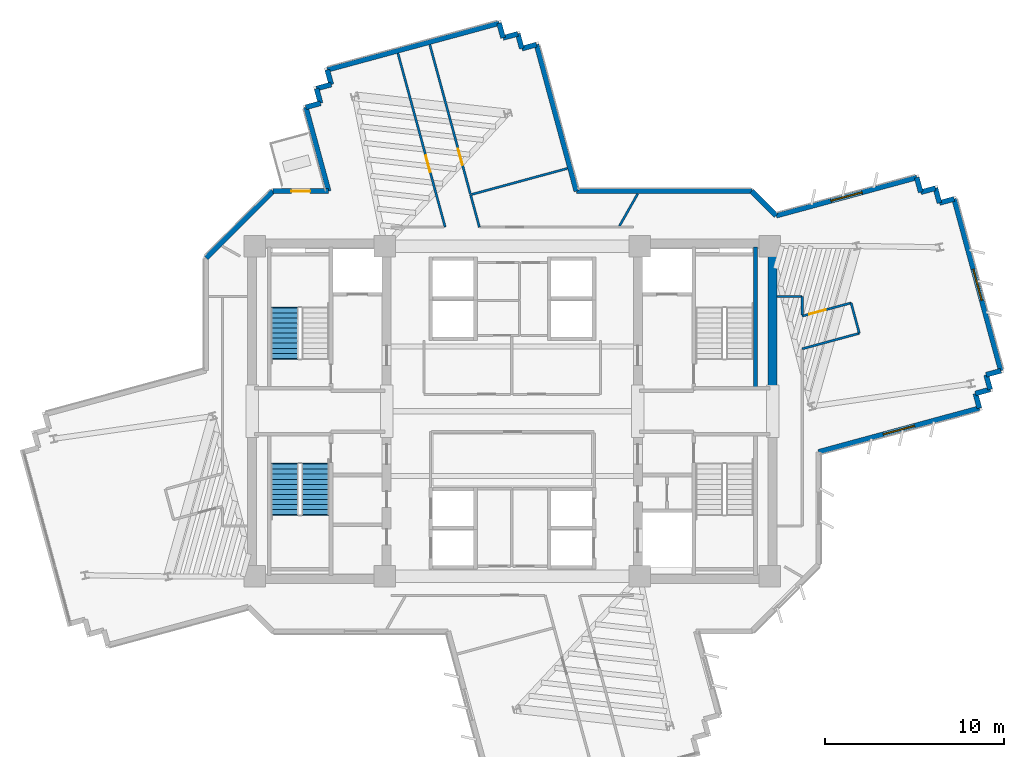
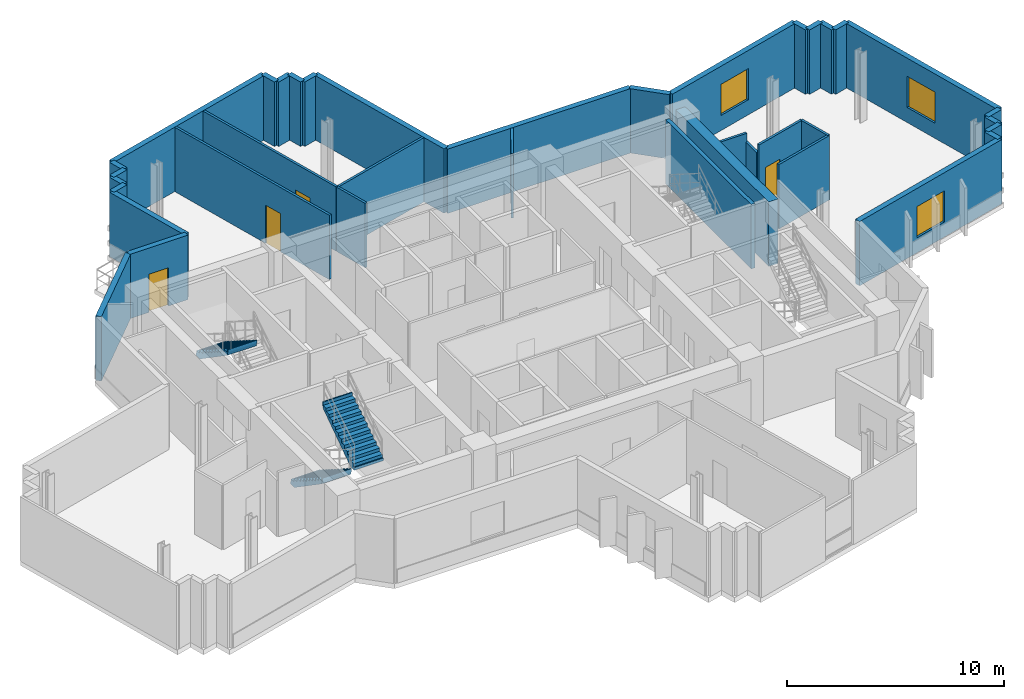
# One storey, part 11 of 15: 38 walls, 4 doors, 3 stair flights, 3 windows, 7 openings, 2 elements without a shape of their own.
"""IFC4 building model written with IfcOpenShell, lengths in metres."""

from ifc_helpers import new_model, si_unit, direction, frame, frame_2d, origin, place, context, subcontext, project, spatial, polyline, rectangle, outline, extrude, source, transform, mapped, material, layer, layer_set, type_object, element, fill, aggregate, save


model = new_model("IFC4")

# Units and contexts
model_context = context("Model", 3, precision=1e-05, world=origin(), true_north=direction((0.0, 1.0)))
body_context = subcontext(model_context, "Body", "Model", "MODEL_VIEW")
ifc_project = project(units=[si_unit("LENGTHUNIT", "METRE"), si_unit("AREAUNIT", "SQUARE_METRE"), si_unit("VOLUMEUNIT", "CUBIC_METRE"), si_unit("PLANEANGLEUNIT", "RADIAN"), si_unit("MASSUNIT", "GRAM", prefix="KILO")], contexts=[model_context])

# Site, building, storey
site_placement = place(None, origin())
site = spatial("IfcSite", under=ifc_project, at=site_placement, CompositionType="ELEMENT")
building_placement = place(site_placement, origin())
building = spatial("IfcBuilding", under=site, at=building_placement, Name="Zahravan Cultural Tower", CompositionType="ELEMENT")
storey_placement = place(building_placement, frame((0.0, 0.0, 194.10009765625)))
storey = spatial("IfcBuildingStorey", under=building, at=storey_placement, Name="L45", CompositionType="ELEMENT", Elevation=194.10009765625)

# Wall, opening, window
ifc_material_1 = material(Name="Precast concrete C40/50", Category="concrete")
ifc_layer_1 = layer(ifc_material_1, 0.280029296875)
ifc_layer_set_1 = layer_set([ifc_layer_1], Name="Precast concrete C40/50")
wall_type_1 = type_object("IfcWallType", Name="EW-TC-280", PredefinedType="SOLIDWALL", material=ifc_layer_set_1)
wall_1_placement = place(storey_placement, frame((50.705078125, 37.896728515625, 0.0), z_axis=(0.0, 0.0, 1.0), x_axis=(0.965017555758, 0.262185272431, 0.0)))
wall_1 = element("IfcWall", 1, at=wall_1_placement, inside=storey, type_object=wall_type_1, Name="L45 Exterior Masonry Frame Wall 01", PredefinedType="SOLIDWALL", context=body_context, shape_type="SweptSolid", body=[
    extrude(rectangle(XDim=8.1123046875, YDim=0.280029296875, at=frame_2d((4.05615234375, 0.0))), origin(), (0.0, 0.0, 1.0), 3.619873046875),
])
opening_1_placement = place(wall_1_placement, frame((3.156005859375, 0.0, 0.85009765625)))
opening_1 = element("IfcOpeningElement", 2, at=opening_1_placement, cuts=wall_1, Name="Opening WN-02", PredefinedType="OPENING", context=body_context, shape_type="SweptSolid", body=[
    extrude(rectangle(XDim=1.800048828125, YDim=1.75, at=frame_2d((0.89990234375, 0.875))), frame((0.0, 0.14990234375, 0.0), z_axis=(0.0, -1.0, 0.0), x_axis=(1.0, 0.0, 0.0)), (0.0, 0.0, 1.0), 0.300048828125),
])
ifc_material_2 = material(Name="Low-E solar-control double glazing", Category="glass")
window_type = type_object("IfcWindowType", Name="WN-REC-1800X1750", PartitioningType="DOUBLE_PANEL_VERTICAL", PredefinedType="WINDOW", material=ifc_material_2)
shared_shape_1 = source(origin(), body_context, "Body", "SweptSolid", [
    extrude(rectangle(XDim=1.800048828125, YDim=1.75, at=frame_2d((0.89990234375, 0.875))), frame((0.0, 0.030029296875, 0.0), z_axis=(0.0, -1.0, 0.0), x_axis=(1.0, 0.0, 0.0)), (0.0, 0.0, 1.0), 0.06005859375),
])
window_1_placement = place(opening_1_placement, origin())
window_1 = element("IfcWindow", 3, at=window_1_placement, inside=storey, type_object=window_type, Name="L45 Recessed Solar Window 01", OverallHeight=1.75, OverallWidth=1.800048828125, PartitioningType="DOUBLE_PANEL_VERTICAL", PredefinedType="WINDOW", context=body_context, shape_type="MappedRepresentation", body=[
    mapped(shared_shape_1, transform((0.0, 0.0, 0.0), x_axis=(1.0, 0.0, 0.0), y_axis=(0.0, 1.0, 0.0), z_axis=(0.0, 0.0, 1.0), scale=1.0)),
])
fill(opening_1, window_1)

wall_2_placement = place(storey_placement, frame((60.619873046875, 38.828857421875, 0.0), z_axis=(0.0, 0.0, 1.0), x_axis=(0.262180173408, -0.965018941095, 0.0)))
wall_2 = element("IfcWall", 4, at=wall_2_placement, inside=storey, type_object=wall_type_1, Name="L45 Exterior Masonry Frame Wall 06", PredefinedType="SOLIDWALL", context=body_context, shape_type="SweptSolid", body=[
    extrude(rectangle(XDim=9.919921875, YDim=0.280029296875, at=frame_2d((4.9599609375, 0.0))), origin(), (0.0, 0.0, 1.0), 3.619873046875),
])
opening_2_placement = place(wall_2_placement, frame((4.06005859375, 0.0, 0.85009765625)))
opening_2 = element("IfcOpeningElement", 5, at=opening_2_placement, cuts=wall_2, Name="Opening WN-02", PredefinedType="OPENING", context=body_context, shape_type="SweptSolid", body=[
    extrude(rectangle(XDim=1.800048828125, YDim=1.75, at=frame_2d((0.89990234375, 0.875))), frame((0.0, 0.14990234375, 0.0), z_axis=(0.0, -1.0, 0.0), x_axis=(1.0, 0.0, 0.0)), (0.0, 0.0, 1.0), 0.300048828125),
])
window_2_placement = place(opening_2_placement, origin())
window_2 = element("IfcWindow", 6, at=window_2_placement, inside=storey, type_object=window_type, Name="L45 Recessed Solar Window 02", OverallHeight=1.75, OverallWidth=1.800048828125, PartitioningType="DOUBLE_PANEL_VERTICAL", PredefinedType="WINDOW", context=body_context, shape_type="MappedRepresentation", body=[
    mapped(shared_shape_1, transform((0.0, 0.0, 0.0), x_axis=(1.0, 0.0, 0.0), y_axis=(0.0, 1.0, 0.0), z_axis=(0.0, 0.0, 1.0), scale=1.0)),
])
fill(opening_2, window_2)

wall_3_placement = place(storey_placement, frame((62.02587890625, 27.169677734375, 0.0), z_axis=(0.0, 0.0, 1.0), x_axis=(-0.965014433153, -0.262196765439, 0.0)))
wall_3 = element("IfcWall", 7, at=wall_3_placement, inside=storey, type_object=wall_type_1, Name="L45 Exterior Masonry Frame Wall 11", PredefinedType="SOLIDWALL", context=body_context, shape_type="SweptSolid", body=[
    extrude(rectangle(XDim=9.290771484375, YDim=0.280029296875, at=frame_2d((4.6455078125, 0.0))), origin(), (0.0, 0.0, 1.0), 3.619873046875),
])
opening_3_placement = place(wall_3_placement, frame((3.74609375, 0.0, 0.85009765625)))
opening_3 = element("IfcOpeningElement", 8, at=opening_3_placement, cuts=wall_3, Name="Opening WN-02", PredefinedType="OPENING", context=body_context, shape_type="SweptSolid", body=[
    extrude(rectangle(XDim=1.800048828125, YDim=1.75, at=frame_2d((0.89990234375, 0.875))), frame((0.0, 0.14990234375, 0.0), z_axis=(0.0, -1.0, 0.0), x_axis=(1.0, 0.0, 0.0)), (0.0, 0.0, 1.0), 0.300048828125),
])
window_3_placement = place(opening_3_placement, origin())
window_3 = element("IfcWindow", 9, at=window_3_placement, inside=storey, type_object=window_type, Name="L45 Recessed Solar Window 03", OverallHeight=1.75, OverallWidth=1.800048828125, PartitioningType="DOUBLE_PANEL_VERTICAL", PredefinedType="WINDOW", context=body_context, shape_type="MappedRepresentation", body=[
    mapped(shared_shape_1, transform((0.0, 0.0, 0.0), x_axis=(1.0, 0.0, 0.0), y_axis=(0.0, 1.0, 0.0), z_axis=(0.0, 0.0, 1.0), scale=1.0)),
])
fill(opening_3, window_3)

# Wall, opening, door
wall_4_placement = place(storey_placement, frame((22.657958984375, 39.260009765625, 0.0), z_axis=(0.0, 0.0, 1.0), x_axis=(1.0, 0.0, 0.0)))
wall_4 = element("IfcWall", 10, at=wall_4_placement, inside=storey, type_object=wall_type_1, Name="L45 Exterior Masonry Frame Wall 39", PredefinedType="SOLIDWALL", context=body_context, shape_type="SweptSolid", body=[
    extrude(rectangle(XDim=3.109619140625, YDim=0.280029296875, at=frame_2d((1.5546875, 0.0))), origin(), (0.0, 0.0, 1.0), 3.619873046875),
])
opening_4_placement = place(wall_4_placement, frame((1.030029296875, 0.0, 0.0)))
opening_4 = element("IfcOpeningElement", 11, at=opening_4_placement, cuts=wall_4, Name="Opening D-L45-TR-NW", PredefinedType="OPENING", context=body_context, shape_type="SweptSolid", body=[
    extrude(rectangle(XDim=1.050048828125, YDim=2.14990234375, at=frame_2d((0.52490234375, 1.074951171875))), frame((0.0, 0.14990234375, 0.0), z_axis=(0.0, -1.0, 0.0), x_axis=(1.0, 0.0, 0.0)), (0.0, 0.0, 1.0), 0.300048828125),
])
ifc_material_3 = material(Name="Anodised bronze-aluminium mullion", Category="aluminium")
door_type_1 = type_object("IfcDoorType", Name="DR-TERR-1050", OperationType="NOTDEFINED", PredefinedType="DOOR", material=ifc_material_3)
shared_shape_2 = source(origin(), body_context, "Body", "SweptSolid", [
    extrude(rectangle(XDim=1.050048828125, YDim=2.14990234375, at=frame_2d((0.52490234375, 1.074951171875))), frame((0.0, 0.02490234375, 0.0), z_axis=(0.0, -1.0, 0.0), x_axis=(1.0, 0.0, 0.0)), (0.0, 0.0, 1.0), 0.050048828125),
])
door_1_placement = place(opening_4_placement, origin())
door_1 = element("IfcDoor", 12, at=door_1_placement, inside=storey, type_object=door_type_1, Name="L45 Terrace Access Door NW", OperationType="SINGLE_SWING_RIGHT", OverallHeight=2.14990234375, OverallWidth=1.050048828125, PredefinedType="DOOR", context=body_context, shape_type="MappedRepresentation", body=[
    mapped(shared_shape_2, transform((0.0, 0.0, 0.0), x_axis=(1.0, 0.0, 0.0), y_axis=(0.0, 1.0, 0.0), z_axis=(0.0, 0.0, 1.0), scale=1.0)),
])
fill(opening_4, door_1)

ifc_material_4 = material(Name="Gypsum plasterboard partition")
ifc_layer_2 = layer(ifc_material_4, 0.125)
ifc_layer_set_2 = layer_set([ifc_layer_2], Name="Gypsum plasterboard partition")
wall_type_2 = type_object("IfcWallType", Name="W-PART-125", PredefinedType="PARTITIONING", material=ifc_layer_set_2)
wall_5_placement = place(storey_placement, frame((33.670654296875, 39.08203125, 0.0), z_axis=(0.0, 0.0, 1.0), x_axis=(-0.262187726373, 0.965016889044, 0.0)))
wall_5 = element("IfcWall", 13, at=wall_5_placement, inside=storey, type_object=wall_type_2, Name="L45 Interior Wall 084", PredefinedType="PARTITIONING", context=body_context, shape_type="SweptSolid", body=[
    extrude(rectangle(XDim=8.64501953125, YDim=0.125, at=frame_2d((4.322509765625, 0.0))), origin(), (0.0, 0.0, 1.0), 3.619873046875),
])
opening_5_placement = place(wall_5_placement, frame((1.69287109375, 0.0, 0.0)))
opening_5 = element("IfcOpeningElement", 14, at=opening_5_placement, cuts=wall_5, Name="Opening D-L45-22", PredefinedType="OPENING", context=body_context, shape_type="SweptSolid", body=[
    extrude(rectangle(XDim=0.949951171875, YDim=2.14990234375, at=frame_2d((0.47509765625, 1.074951171875))), frame((0.0, 0.072509765625, 0.0), z_axis=(0.0, -1.0, 0.0), x_axis=(1.0, 0.0, 0.0)), (0.0, 0.0, 1.0), 0.14501953125),
])
door_type_2 = type_object("IfcDoorType", Name="DR-ROOM-950", OperationType="NOTDEFINED", PredefinedType="DOOR", material=ifc_material_3)
shared_shape_3 = source(origin(), body_context, "Body", "SweptSolid", [
    extrude(rectangle(XDim=0.949951171875, YDim=2.14990234375, at=frame_2d((0.47509765625, 1.074951171875))), frame((0.0, 0.02490234375, 0.0), z_axis=(0.0, -1.0, 0.0), x_axis=(1.0, 0.0, 0.0)), (0.0, 0.0, 1.0), 0.050048828125),
])
door_2_placement = place(opening_5_placement, origin())
door_2 = element("IfcDoor", 15, at=door_2_placement, inside=storey, type_object=door_type_2, Name="L45 Door D-L45-22", OperationType="SINGLE_SWING_RIGHT", OverallHeight=2.14990234375, OverallWidth=0.949951171875, PredefinedType="DOOR", context=body_context, shape_type="MappedRepresentation", body=[
    mapped(shared_shape_3, transform((0.0, 0.0, 0.0), x_axis=(1.0, 0.0, 0.0), y_axis=(0.0, 1.0, 0.0), z_axis=(0.0, 0.0, 1.0), scale=1.0)),
])
fill(opening_5, door_2)

wall_6_placement = place(storey_placement, frame((29.62841796875, 46.942138671875, 0.0), z_axis=(0.0, 0.0, 1.0), x_axis=(0.262192801501, -0.965015510156, 0.0)))
wall_6 = element("IfcWall", 16, at=wall_6_placement, inside=storey, type_object=wall_type_2, Name="L45 Interior Wall 091", PredefinedType="PARTITIONING", context=body_context, shape_type="SweptSolid", body=[
    extrude(rectangle(XDim=10.033203125, YDim=0.125, at=frame_2d((5.0166015625, 0.0))), origin(), (0.0, 0.0, 1.0), 3.619873046875),
])
opening_6_placement = place(wall_6_placement, frame((5.904052734375, 0.0, 0.0)))
opening_6 = element("IfcOpeningElement", 17, at=opening_6_placement, cuts=wall_6, Name="Opening D-L45-23", PredefinedType="OPENING", context=body_context, shape_type="SweptSolid", body=[
    extrude(rectangle(XDim=0.949951171875, YDim=2.14990234375, at=frame_2d((0.47509765625, 1.074951171875))), frame((0.0, 0.072509765625, 0.0), z_axis=(0.0, -1.0, 0.0), x_axis=(1.0, 0.0, 0.0)), (0.0, 0.0, 1.0), 0.14501953125),
])
door_3_placement = place(opening_6_placement, origin())
door_3 = element("IfcDoor", 18, at=door_3_placement, inside=storey, type_object=door_type_2, Name="L45 Door D-L45-23", OperationType="SINGLE_SWING_LEFT", OverallHeight=2.14990234375, OverallWidth=0.949951171875, PredefinedType="DOOR", context=body_context, shape_type="MappedRepresentation", body=[
    mapped(shared_shape_3, transform((0.0, 0.0, 0.0), x_axis=(1.0, 0.0, 0.0), y_axis=(0.0, 1.0, 0.0), z_axis=(0.0, 0.0, 1.0), scale=1.0)),
])
fill(opening_6, door_3)

wall_7_placement = place(storey_placement, frame((54.876708984375, 33.035400390625, 0.0), z_axis=(0.0, 0.0, 1.0), x_axis=(-0.965486271956, -0.260453947301, 0.0)))
wall_7 = element("IfcWall", 19, at=wall_7_placement, inside=storey, type_object=wall_type_2, Name="L45 Interior Wall 108", PredefinedType="PARTITIONING", context=body_context, shape_type="SweptSolid", body=[
    extrude(rectangle(XDim=2.82421875, YDim=0.125, at=frame_2d((1.412109375, 0.0))), origin(), (0.0, 0.0, 1.0), 3.619873046875),
])
opening_7_placement = place(wall_7_placement, frame((1.4619140625, 0.0, 0.0)))
opening_7 = element("IfcOpeningElement", 20, at=opening_7_placement, cuts=wall_7, Name="Opening D-L45-20", PredefinedType="OPENING", context=body_context, shape_type="SweptSolid", body=[
    extrude(rectangle(XDim=0.949951171875, YDim=2.14990234375, at=frame_2d((0.47509765625, 1.074951171875))), frame((0.0, 0.072509765625, 0.0), z_axis=(0.0, -1.0, 0.0), x_axis=(1.0, 0.0, 0.0)), (0.0, 0.0, 1.0), 0.14501953125),
])
door_4_placement = place(opening_7_placement, origin())
door_4 = element("IfcDoor", 21, at=door_4_placement, inside=storey, type_object=door_type_2, Name="L45 Door D-L45-20", OperationType="SINGLE_SWING_RIGHT", OverallHeight=2.14990234375, OverallWidth=0.949951171875, PredefinedType="DOOR", context=body_context, shape_type="MappedRepresentation", body=[
    mapped(shared_shape_3, transform((0.0, 0.0, 0.0), x_axis=(1.0, 0.0, 0.0), y_axis=(0.0, 1.0, 0.0), z_axis=(0.0, 0.0, 1.0), scale=1.0)),
])
fill(opening_7, door_4)

# Walls
ifc_material_5 = material(Name="Concrete C60/75", Category="concrete")
ifc_layer_3 = layer(ifc_material_5, 0.5)
ifc_layer_set_3 = layer_set([ifc_layer_3], Name="Concrete C60/75")
wall_type_3 = type_object("IfcWallType", Name="CW-SHEAR-500-C60", PredefinedType="SHEAR", material=ifc_layer_set_3)
shared_shape_4 = source(origin(), body_context, "Body", "SweptSolid", [
    extrude(rectangle(XDim=8.550048828125, YDim=0.5, at=frame_2d((4.27490234375, 0.0))), origin(), (0.0, 0.0, 1.0), 3.619873046875),
])
wall_8_placement = place(storey_placement, frame((50.5, 28.050048828125, 0.0), z_axis=(0.0, 0.0, 1.0), x_axis=(0.0, 1.0, 0.0)))
element("IfcWall", 22, at=wall_8_placement, inside=storey, type_object=wall_type_3, Name="L45 Core Shear Wall CW-E-EN-L45", PredefinedType="SHEAR", context=body_context, shape_type="MappedRepresentation", body=[
    mapped(shared_shape_4, transform((0.0, 0.0, 0.0), x_axis=(1.0, 0.0, 0.0), y_axis=(0.0, 1.0, 0.0), z_axis=(0.0, 0.0, 1.0), scale=1.0)),
])
shared_shape_5 = source(origin(), body_context, "Body", "SweptSolid", [
    extrude(rectangle(XDim=0.85009765625, YDim=0.280029296875, at=frame_2d((0.425048828125, 0.0))), origin(), (0.0, 0.0, 1.0), 3.619873046875),
])
for number, where, z_axis, x_axis, name in (
    (23, (58.53369140625, 40.023681640625, 0.0), (0.0, 0.0, 1.0), (0.262218119094, -0.965008631059, 0.0), "L45 Exterior Masonry Frame Wall 02"),
    (24, (58.756591796875, 39.203369140625, 0.0), (0.0, 0.0, 1.0), (0.965008631059, 0.262218119094, 0.0), "L45 Exterior Masonry Frame Wall 03"),
    (25, (59.576904296875, 39.42626953125, 0.0), (0.0, 0.0, 1.0), (0.261950631675, -0.965081274591, 0.0), "L45 Exterior Masonry Frame Wall 04"),
    (26, (59.799560546875, 38.60595703125, 0.0), (0.0, 0.0, 1.0), (0.965008631059, 0.262218119094, 0.0), "L45 Exterior Masonry Frame Wall 05"),
    (27, (63.220703125, 29.255859375, 0.0), (0.0, 0.0, 1.0), (-0.965081274591, -0.261950631675, 0.0), "L45 Exterior Masonry Frame Wall 07"),
    (28, (62.400390625, 29.033203125, 0.0), (0.0, 0.0, 1.0), (0.262218119094, -0.965008631059, 0.0), "L45 Exterior Masonry Frame Wall 08"),
    (29, (62.623291015625, 28.212890625, 0.0), (0.0, 0.0, 1.0), (-0.965008631059, -0.262218119094, 0.0), "L45 Exterior Masonry Frame Wall 09"),
    (30, (61.802978515625, 27.989990234375, 0.0), (0.0, 0.0, 1.0), (0.262218119094, -0.965008631059, 0.0), "L45 Exterior Masonry Frame Wall 10"),
    (31, (24.4970703125, 43.9365234375, 0.0), (0.0, 0.0, 1.0), (0.965008631059, 0.262218119094, 0.0), "L45 Exterior Masonry Frame Wall 41"),
    (32, (25.3173828125, 44.159423828125, 0.0), (0.0, 0.0, 1.0), (-0.262218119094, 0.965008631059, 0.0), "L45 Exterior Masonry Frame Wall 42"),
    (33, (25.094482421875, 44.979736328125, 0.0), (0.0, 0.0, 1.0), (0.965081274591, 0.261950631675, 0.0), "L45 Exterior Masonry Frame Wall 43"),
    (34, (25.914794921875, 45.202392578125, 0.0), (0.0, 0.0, 1.0), (-0.262218119094, 0.965008631059, 0.0), "L45 Exterior Masonry Frame Wall 44"),
    (35, (35.264892578125, 48.623779296875, 0.0), (0.0, 0.0, 1.0), (0.261950631675, -0.965081274591, 0.0), "L45 Exterior Masonry Frame Wall 46"),
    (36, (35.487548828125, 47.803466796875, 0.0), (0.0, 0.0, 1.0), (0.965008631059, 0.262218119094, 0.0), "L45 Exterior Masonry Frame Wall 47"),
    (37, (36.307861328125, 48.0263671875, 0.0), (0.0, 0.0, 1.0), (0.262218119094, -0.965008631059, 0.0), "L45 Exterior Masonry Frame Wall 48"),
    (38, (36.53076171875, 47.2060546875, 0.0), (0.0, 0.0, 1.0), (0.965008631059, 0.262218119094, 0.0), "L45 Exterior Masonry Frame Wall 49"),
):
    element("IfcWall", number, at=place(storey_placement, frame(where, z_axis=z_axis, x_axis=x_axis)), inside=storey, type_object=wall_type_1, Name=name, PredefinedType="SOLIDWALL", context=body_context, shape_type="MappedRepresentation", body=[
        mapped(shared_shape_5, transform((0.0, 0.0, 0.0), x_axis=(1.0, 0.0, 0.0), y_axis=(0.0, 1.0, 0.0), z_axis=(0.0, 0.0, 1.0), scale=1.0)),
    ])
shared_shape_6 = source(origin(), body_context, "Body", "SweptSolid", [
    extrude(rectangle(XDim=5.258056640625, YDim=0.280029296875, at=frame_2d((2.62890625, 0.0))), origin(), (0.0, 0.0, 1.0), 3.619873046875),
])
wall_9_placement = place(storey_placement, frame((18.93994140625, 35.5419921875, 0.0), z_axis=(0.0, 0.0, 1.0), x_axis=(0.707106781187, 0.707106781187, 0.0)))
element("IfcWall", 39, at=wall_9_placement, inside=storey, type_object=wall_type_1, Name="L45 Exterior Masonry Frame Wall 38", PredefinedType="SOLIDWALL", context=body_context, shape_type="MappedRepresentation", body=[
    mapped(shared_shape_6, transform((0.0, 0.0, 0.0), x_axis=(1.0, 0.0, 0.0), y_axis=(0.0, 1.0, 0.0), z_axis=(0.0, 0.0, 1.0), scale=1.0)),
])
shared_shape_7 = source(origin(), body_context, "Body", "SweptSolid", [
    extrude(rectangle(XDim=1.927734375, YDim=0.280029296875, at=frame_2d((0.9638671875, 0.0))), origin(), (0.0, 0.0, 1.0), 3.619873046875),
])
wall_10_placement = place(storey_placement, frame((49.342041015625, 39.260009765625, 0.0), z_axis=(0.0, 0.0, 1.0), x_axis=(0.707043457246, -0.707170099456, 0.0)))
element("IfcWall", 40, at=wall_10_placement, inside=storey, type_object=wall_type_1, Name="L45 Exterior Masonry Frame Wall 52", PredefinedType="SOLIDWALL", context=body_context, shape_type="MappedRepresentation", body=[
    mapped(shared_shape_7, transform((0.0, 0.0, 0.0), x_axis=(1.0, 0.0, 0.0), y_axis=(0.0, 1.0, 0.0), z_axis=(0.0, 0.0, 1.0), scale=1.0)),
])
shared_shape_8 = source(origin(), body_context, "Body", "SweptSolid", [
    extrude(rectangle(XDim=4.845947265625, YDim=0.280029296875, at=frame_2d((2.4228515625, 0.0))), origin(), (0.0, 0.0, 1.0), 3.619873046875),
])
wall_11_placement = place(storey_placement, frame((25.767578125, 39.260009765625, 0.0), z_axis=(0.0, 0.0, 1.0), x_axis=(-0.262175182741, 0.965020296965, 0.0)))
element("IfcWall", 41, at=wall_11_placement, inside=storey, type_object=wall_type_1, Name="L45 Exterior Masonry Frame Wall 40", PredefinedType="SOLIDWALL", context=body_context, shape_type="MappedRepresentation", body=[
    mapped(shared_shape_8, transform((0.0, 0.0, 0.0), x_axis=(1.0, 0.0, 0.0), y_axis=(0.0, 1.0, 0.0), z_axis=(0.0, 0.0, 1.0), scale=1.0)),
])
shared_shape_9 = source(origin(), body_context, "Body", "SweptSolid", [
    extrude(rectangle(XDim=9.920166015625, YDim=0.280029296875, at=frame_2d((4.9599609375, 0.0))), origin(), (0.0, 0.0, 1.0), 3.619873046875),
])
wall_12_placement = place(storey_placement, frame((25.69189453125, 46.022705078125, 0.0), z_axis=(0.0, 0.0, 1.0), x_axis=(0.965012714082, 0.262203092393, 0.0)))
element("IfcWall", 42, at=wall_12_placement, inside=storey, type_object=wall_type_1, Name="L45 Exterior Masonry Frame Wall 45", PredefinedType="SOLIDWALL", context=body_context, shape_type="MappedRepresentation", body=[
    mapped(shared_shape_9, transform((0.0, 0.0, 0.0), x_axis=(1.0, 0.0, 0.0), y_axis=(0.0, 1.0, 0.0), z_axis=(0.0, 0.0, 1.0), scale=1.0)),
])
shared_shape_10 = source(origin(), body_context, "Body", "SweptSolid", [
    extrude(rectangle(XDim=8.465087890625, YDim=0.280029296875, at=frame_2d((4.232421875, 0.0))), origin(), (0.0, 0.0, 1.0), 3.619873046875),
])
wall_13_placement = place(storey_placement, frame((37.35107421875, 47.428955078125, 0.0), z_axis=(0.0, 0.0, 1.0), x_axis=(0.262192380254, -0.965015624608, 0.0)))
element("IfcWall", 43, at=wall_13_placement, inside=storey, type_object=wall_type_1, Name="L45 Exterior Masonry Frame Wall 50", PredefinedType="SOLIDWALL", context=body_context, shape_type="MappedRepresentation", body=[
    mapped(shared_shape_10, transform((0.0, 0.0, 0.0), x_axis=(1.0, 0.0, 0.0), y_axis=(0.0, 1.0, 0.0), z_axis=(0.0, 0.0, 1.0), scale=1.0)),
])
shared_shape_11 = source(origin(), body_context, "Body", "SweptSolid", [
    extrude(rectangle(XDim=9.771484375, YDim=0.280029296875, at=frame_2d((4.8857421875, 0.0))), origin(), (0.0, 0.0, 1.0), 3.619873046875),
])
wall_14_placement = place(storey_placement, frame((39.570556640625, 39.260009765625, 0.0), z_axis=(0.0, 0.0, 1.0), x_axis=(1.0, 0.0, 0.0)))
element("IfcWall", 44, at=wall_14_placement, inside=storey, type_object=wall_type_1, Name="L45 Exterior Masonry Frame Wall 51", PredefinedType="SOLIDWALL", context=body_context, shape_type="MappedRepresentation", body=[
    mapped(shared_shape_11, transform((0.0, 0.0, 0.0), x_axis=(1.0, 0.0, 0.0), y_axis=(0.0, 1.0, 0.0), z_axis=(0.0, 0.0, 1.0), scale=1.0)),
])
ifc_material_6 = material(Name="Concrete C45/55", Category="concrete")
ifc_layer_4 = layer(ifc_material_6, 0.199951171875)
ifc_layer_set_4 = layer_set([ifc_layer_4], Name="Concrete C45/55")
wall_type_4 = type_object("IfcWallType", Name="W-SHAFT-200", PredefinedType="SOLIDWALL", material=ifc_layer_set_4)
shared_shape_12 = source(origin(), body_context, "Body", "SweptSolid", [
    extrude(rectangle(XDim=7.869873046875, YDim=0.199951171875, at=frame_2d((3.93505859375, 0.0))), origin(), (0.0, 0.0, 1.0), 3.619873046875),
])
wall_15_placement = place(storey_placement, frame((49.550048828125, 28.280029296875, 0.0), z_axis=(0.0, 0.0, 1.0), x_axis=(0.0, 1.0, 0.0)))
element("IfcWall", 45, at=wall_15_placement, inside=storey, type_object=wall_type_4, Name="L45 Interior Wall 004", PredefinedType="SOLIDWALL", context=body_context, shape_type="MappedRepresentation", body=[
    mapped(shared_shape_12, transform((0.0, 0.0, 0.0), x_axis=(1.0, 0.0, 0.0), y_axis=(0.0, 1.0, 0.0), z_axis=(0.0, 0.0, 1.0), scale=1.0)),
])
shared_shape_13 = source(origin(), body_context, "Body", "SweptSolid", [
    extrude(rectangle(XDim=5.52734375, YDim=0.125, at=frame_2d((2.763671875, 0.0))), origin(), (0.0, 0.0, 1.0), 3.619873046875),
])
wall_16_placement = place(storey_placement, frame((33.7412109375, 39.080322265625, 0.0), z_axis=(0.0, 0.0, 1.0), x_axis=(0.965004985248, 0.262231535949, 0.0)))
element("IfcWall", 46, at=wall_16_placement, inside=storey, type_object=wall_type_2, Name="L45 Interior Wall 075", PredefinedType="PARTITIONING", context=body_context, shape_type="MappedRepresentation", body=[
    mapped(shared_shape_13, transform((0.0, 0.0, 0.0), x_axis=(1.0, 0.0, 0.0), y_axis=(0.0, 1.0, 0.0), z_axis=(0.0, 0.0, 1.0), scale=1.0)),
])
shared_shape_14 = source(origin(), body_context, "Body", "SweptSolid", [
    extrude(rectangle(XDim=1.8681640625, YDim=0.125, at=frame_2d((0.93408203125, 0.0))), origin(), (0.0, 0.0, 1.0), 3.619873046875),
])
wall_17_placement = place(storey_placement, frame((34.165771484375, 37.260009765625, 0.0), z_axis=(0.0, 0.0, 1.0), x_axis=(-0.262166249224, 0.965022723964, 0.0)))
element("IfcWall", 47, at=wall_17_placement, inside=storey, type_object=wall_type_2, Name="L45 Interior Wall 074", PredefinedType="PARTITIONING", context=body_context, shape_type="MappedRepresentation", body=[
    mapped(shared_shape_14, transform((0.0, 0.0, 0.0), x_axis=(1.0, 0.0, 0.0), y_axis=(0.0, 1.0, 0.0), z_axis=(0.0, 0.0, 1.0), scale=1.0)),
])
shared_shape_15 = source(origin(), body_context, "Body", "SweptSolid", [
    extrude(rectangle(XDim=2.060791015625, YDim=0.125, at=frame_2d((1.0302734375, 0.0))), origin(), (0.0, 0.0, 1.0), 3.619873046875),
])
wall_18_placement = place(storey_placement, frame((42.9873046875, 39.114990234375, 0.0), z_axis=(0.0, 0.0, 1.0), x_axis=(-0.492818271576, -0.870132260752, 0.0)))
element("IfcWall", 48, at=wall_18_placement, inside=storey, type_object=wall_type_2, Name="L45 Interior Wall 076", PredefinedType="PARTITIONING", context=body_context, shape_type="MappedRepresentation", body=[
    mapped(shared_shape_15, transform((0.0, 0.0, 0.0), x_axis=(1.0, 0.0, 0.0), y_axis=(0.0, 1.0, 0.0), z_axis=(0.0, 0.0, 1.0), scale=1.0)),
])
shared_shape_16 = source(origin(), body_context, "Body", "SweptSolid", [
    extrude(rectangle(XDim=1.028076171875, YDim=0.125, at=frame_2d((0.51416015625, 0.0))), origin(), (0.0, 0.0, 1.0), 3.14892578125),
])
wall_19_placement = place(storey_placement, frame((52.14990234375, 32.36962890625, 0.0), z_axis=(0.0, 0.0, 1.0), x_axis=(-0.001187365584, 0.999999295081, 0.0)))
element("IfcWall", 49, at=wall_19_placement, inside=storey, type_object=wall_type_2, Name="L45 Interior Wall 109", PredefinedType="PARTITIONING", context=body_context, shape_type="MappedRepresentation", body=[
    mapped(shared_shape_16, transform((0.0, 0.0, 0.0), x_axis=(1.0, 0.0, 0.0), y_axis=(0.0, 1.0, 0.0), z_axis=(0.0, 0.0, 1.0), scale=1.0)),
])
shared_shape_17 = source(origin(), body_context, "Body", "SweptSolid", [
    extrude(rectangle(XDim=1.389892578125, YDim=0.125, at=frame_2d((0.69482421875, 0.0))), origin(), (0.0, 0.0, 1.0), 3.619873046875),
])
wall_20_placement = place(storey_placement, frame((52.144775390625, 33.397705078125, 0.0), z_axis=(0.0, 0.0, 1.0), x_axis=(-0.999998750398, 0.001580886835, 0.0)))
element("IfcWall", 50, at=wall_20_placement, inside=storey, type_object=wall_type_2, Name="L45 Interior Wall 110", PredefinedType="PARTITIONING", context=body_context, shape_type="MappedRepresentation", body=[
    mapped(shared_shape_17, transform((0.0, 0.0, 0.0), x_axis=(1.0, 0.0, 0.0), y_axis=(0.0, 1.0, 0.0), z_axis=(0.0, 0.0, 1.0), scale=1.0)),
])
shared_shape_18 = source(origin(), body_context, "Body", "SweptSolid", [
    extrude(rectangle(XDim=3.301025390625, YDim=0.125, at=frame_2d((1.650390625, 0.0))), origin(), (0.0, 0.0, 1.0), 3.619873046875),
])
wall_21_placement = place(storey_placement, frame((52.150146484375, 30.47607421875, 0.0), z_axis=(0.0, 0.0, 1.0), x_axis=(0.964918963187, 0.262547889884, 0.0)))
element("IfcWall", 51, at=wall_21_placement, inside=storey, type_object=wall_type_2, Name="L45 Interior Wall 106", PredefinedType="PARTITIONING", context=body_context, shape_type="MappedRepresentation", body=[
    mapped(shared_shape_18, transform((0.0, 0.0, 0.0), x_axis=(1.0, 0.0, 0.0), y_axis=(0.0, 1.0, 0.0), z_axis=(0.0, 0.0, 1.0), scale=1.0)),
])
shared_shape_19 = source(origin(), body_context, "Body", "SweptSolid", [
    extrude(rectangle(XDim=1.753662109375, YDim=0.125, at=frame_2d((0.876953125, 0.0))), origin(), (0.0, 0.0, 1.0), 3.619873046875),
])
wall_22_placement = place(storey_placement, frame((55.33544921875, 31.3427734375, 0.0), z_axis=(0.0, 0.0, 1.0), x_axis=(-0.261585705111, 0.965180252016, 0.0)))
element("IfcWall", 52, at=wall_22_placement, inside=storey, type_object=wall_type_2, Name="L45 Interior Wall 107", PredefinedType="PARTITIONING", context=body_context, shape_type="MappedRepresentation", body=[
    mapped(shared_shape_19, transform((0.0, 0.0, 0.0), x_axis=(1.0, 0.0, 0.0), y_axis=(0.0, 1.0, 0.0), z_axis=(0.0, 0.0, 1.0), scale=1.0)),
])

# Stair, stair flight
stair_type = type_object("IfcStairType", Name="STR-DL-1550-390", PredefinedType="HALF_TURN_STAIR", material=ifc_material_6)
stair_1_placement = place(storey_placement, origin())
stair_1 = element("IfcStair", 53, at=stair_1_placement, inside=storey, type_object=stair_type, Name="L45 West Core North Exit Stair ST-W1", PredefinedType="HALF_TURN_STAIR")
stair_flight_type = type_object("IfcStairFlightType", Name="FLG-DL-1550-390", PredefinedType="STRAIGHT", material=ifc_material_6)
stair_flight_1_placement = place(storey_placement, frame((23.324951171875, 32.75, 1.949951171875), z_axis=(0.0, 0.0, 1.0), x_axis=(0.0, -1.0, 0.0)))
stair_flight_1 = element("IfcStairFlight", 54, at=stair_flight_1_placement, type_object=stair_flight_type, Name="ST-W1 flight 2", NumberOfRisers=11, NumberOfTreads=10, PredefinedType="STRAIGHT", RiserHeight=0.177272727, TreadLength=0.28, context=body_context, shape_type="SweptSolid", body=[
    extrude(outline(polyline([(-0.06494140625, -0.139892578125), (-0.06494140625, 0.0), (0.0, 0.0), (0.0, 0.17724609375), (0.280029296875, 0.17724609375), (0.280029296875, 0.3544921875), (0.56005859375, 0.3544921875), (0.56005859375, 0.53173828125), (0.840087890625, 0.53173828125), (0.840087890625, 0.708984375), (1.1201171875, 0.708984375), (1.1201171875, 0.886474609375), (1.39990234375, 0.886474609375), (1.39990234375, 1.063720703125), (1.679931640625, 1.063720703125), (1.679931640625, 1.240966796875), (1.9599609375, 1.240966796875), (1.9599609375, 1.418212890625), (2.239990234375, 1.418212890625), (2.239990234375, 1.595458984375), (2.52001953125, 1.595458984375), (2.52001953125, 1.772705078125), (2.800048828125, 1.772705078125), (2.800048828125, 1.949951171875), (2.864990234375, 1.949951171875), (2.864990234375, 1.800048828125), (2.800048828125, 1.59521484375), (0.2802734375, -0.139892578125), (-0.06494140625, -0.139892578125)])), frame((0.0, 0.77490234375, 0.0), z_axis=(0.0, -1.0, 0.0), x_axis=(1.0, 0.0, 0.0)), (0.0, 0.0, 1.0), 1.550048828125),
])
aggregate(stair_1, [stair_flight_1])

# Stair, stair flights
stair_2_placement = place(storey_placement, origin())
stair_2 = element("IfcStair", 55, at=stair_2_placement, inside=storey, type_object=stair_type, Name="L45 West Core South Exit Stair ST-W2", PredefinedType="HALF_TURN_STAIR")
stair_flight_2_placement = place(storey_placement, frame((23.324951171875, 24.050048828125, 0.0), z_axis=(0.0, 0.0, 1.0), x_axis=(0.0, -1.0, 0.0)))
stair_flight_2 = element("IfcStairFlight", 56, at=stair_flight_2_placement, type_object=stair_flight_type, Name="ST-W2 flight 1", NumberOfRisers=11, NumberOfTreads=10, PredefinedType="STRAIGHT", RiserHeight=0.177272727, TreadLength=0.28, context=body_context, shape_type="SweptSolid", body=[
    extrude(outline(polyline([(-0.06494140625, -0.139892578125), (-0.06494140625, 0.0), (0.0, 0.0), (0.0, 0.17724609375), (0.280029296875, 0.17724609375), (0.280029296875, 0.3544921875), (0.56005859375, 0.3544921875), (0.56005859375, 0.53173828125), (0.840087890625, 0.53173828125), (0.840087890625, 0.708984375), (1.1201171875, 0.708984375), (1.1201171875, 0.886474609375), (1.39990234375, 0.886474609375), (1.39990234375, 1.063720703125), (1.679931640625, 1.063720703125), (1.679931640625, 1.240966796875), (1.9599609375, 1.240966796875), (1.9599609375, 1.418212890625), (2.239990234375, 1.418212890625), (2.239990234375, 1.595458984375), (2.52001953125, 1.595458984375), (2.52001953125, 1.772705078125), (2.800048828125, 1.772705078125), (2.800048828125, 1.949951171875), (2.864990234375, 1.949951171875), (2.864990234375, 1.800048828125), (2.800048828125, 1.59521484375), (0.2802734375, -0.139892578125), (-0.06494140625, -0.139892578125)])), frame((0.0, 0.77490234375, 0.0), z_axis=(0.0, -1.0, 0.0), x_axis=(1.0, 0.0, 0.0)), (0.0, 0.0, 1.0), 1.550048828125),
])
stair_flight_3_placement = place(storey_placement, frame((25.02490234375, 21.25, 1.949951171875), z_axis=(0.0, 0.0, 1.0), x_axis=(0.0, 1.0, 0.0)))
stair_flight_3 = element("IfcStairFlight", 57, at=stair_flight_3_placement, type_object=stair_flight_type, Name="ST-W2 flight 2", NumberOfRisers=11, NumberOfTreads=10, PredefinedType="STRAIGHT", RiserHeight=0.177272727, TreadLength=0.28, context=body_context, shape_type="SweptSolid", body=[
    extrude(outline(polyline([(-0.06494140625, -0.139892578125), (-0.06494140625, 0.0), (0.0, 0.0), (0.0, 0.17724609375), (0.280029296875, 0.17724609375), (0.280029296875, 0.3544921875), (0.56005859375, 0.3544921875), (0.56005859375, 0.53173828125), (0.840087890625, 0.53173828125), (0.840087890625, 0.708984375), (1.1201171875, 0.708984375), (1.1201171875, 0.886474609375), (1.39990234375, 0.886474609375), (1.39990234375, 1.063720703125), (1.679931640625, 1.063720703125), (1.679931640625, 1.240966796875), (1.9599609375, 1.240966796875), (1.9599609375, 1.418212890625), (2.239990234375, 1.418212890625), (2.239990234375, 1.595458984375), (2.52001953125, 1.595458984375), (2.52001953125, 1.772705078125), (2.800048828125, 1.772705078125), (2.800048828125, 1.949951171875), (2.864990234375, 1.949951171875), (2.864990234375, 1.800048828125), (2.800048828125, 1.59521484375), (0.2802734375, -0.139892578125), (-0.06494140625, -0.139892578125)])), frame((0.0, 0.77490234375, 0.0), z_axis=(0.0, -1.0, 0.0), x_axis=(1.0, 0.0, 0.0)), (0.0, 0.0, 1.0), 1.550048828125),
])
aggregate(stair_2, [stair_flight_2, stair_flight_3])

save(model, "model.ifc")
